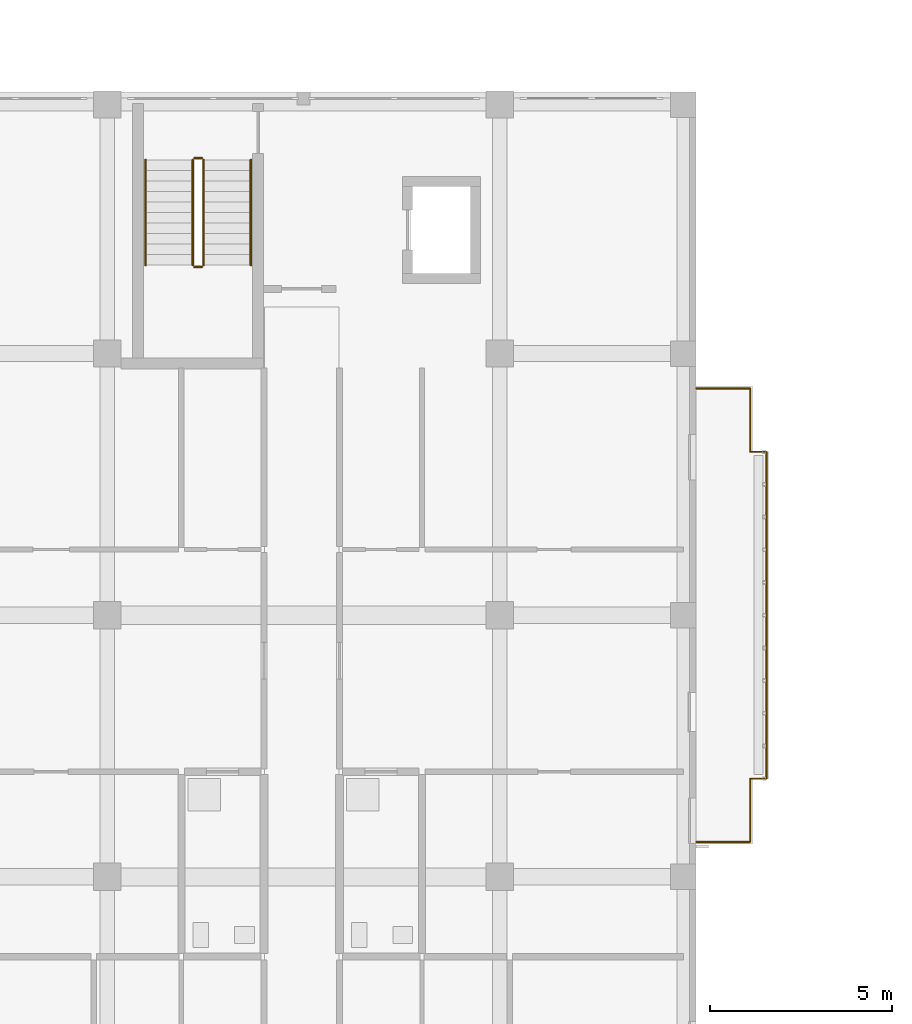
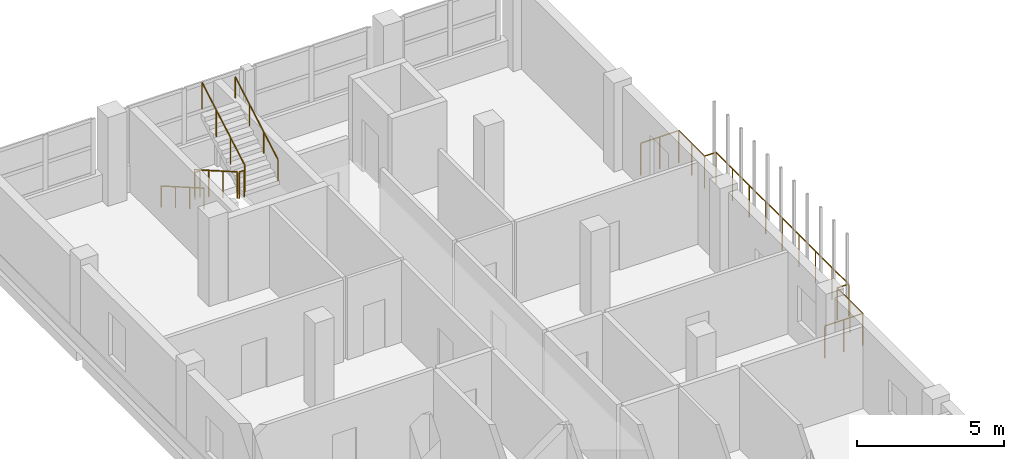
# One storey, part 59 of 73: 7 railings.
"""IFC4 building model written with IfcOpenShell, lengths in metres."""

from ifc_helpers import new_model, si_unit, derived_unit, direction, frame, origin, origin_2d, place, context, subcontext, project, spatial, circle, extrude, material, type_object, element, save


model = new_model("IFC4")

# Units and contexts
model_context = context("Model", 3, precision=1e-05, world=origin(), true_north=direction((0.0, 1.0)))
body_context = subcontext(model_context, "Body", "Model", "MODEL_VIEW")
ifc_project = project(units=[si_unit("LENGTHUNIT", "METRE"), si_unit("AREAUNIT", "SQUARE_METRE"), si_unit("VOLUMEUNIT", "CUBIC_METRE"), si_unit("PLANEANGLEUNIT", "RADIAN"), si_unit("MASSUNIT", "GRAM", prefix="KILO"), derived_unit("THERMALTRANSMITTANCEUNIT", [(si_unit("MASSUNIT", "GRAM", prefix="KILO"), 1), (si_unit("TIMEUNIT", "SECOND"), -3), (si_unit("THERMODYNAMICTEMPERATUREUNIT", "KELVIN"), -1)])], contexts=[model_context])

# Site, building, storey
site_placement = place(None, origin())
site = spatial("IfcSite", under=ifc_project, at=site_placement, CompositionType="ELEMENT")
building_placement = place(site_placement, origin())
building = spatial("IfcBuilding", under=site, at=building_placement, Name="Ochrekiln Boulevard Commons", CompositionType="ELEMENT")
storey_placement = place(building_placement, frame((0.0, 0.0, 4.89990234375)))
storey = spatial("IfcBuildingStorey", under=building, at=storey_placement, Name="L01", CompositionType="ELEMENT", Elevation=4.89990234375)

# Railings
ifc_material_1 = material(Name="Bronze-anodized extruded aluminium 6063-T6", Category="aluminium")
railing_type_1 = type_object("IfcRailingType", Name="RLG-BAL-1350", PredefinedType="BALUSTRADE", material=ifc_material_1)
railing_1_placement = place(storey_placement, frame((21.60009765625, 29.760009765625, 0.0)))
element("IfcRailing", 1, at=railing_1_placement, inside=storey, type_object=railing_type_1, Name="Block D L01 Balcony Guard Balustrade 2", PredefinedType="BALUSTRADE", context=body_context, shape_type="SweptSolid", body=[
    extrude(circle(Radius=0.02392578125, at=origin_2d()), frame((0.0, 0.0, 1.326171875), z_axis=(1.0, 0.0, 0.0), x_axis=(0.0, 1.0, 0.0)), (0.0, 0.0, 1.0), 1.489990234375),
    extrude(circle(Radius=0.02392578125, at=origin_2d()), frame((1.489990234375, 0.0, 1.326171875), z_axis=(0.0, 1.0, 0.0), x_axis=(-1.0, 0.0, 0.0)), (0.0, 0.0, 1.0), 1.739990234375),
    extrude(circle(Radius=0.02392578125, at=origin_2d()), frame((1.489990234375, 1.739990234375, 1.326171875), z_axis=(1.0, 0.0, 0.0), x_axis=(0.0, 1.0, 0.0)), (0.0, 0.0, 1.0), 0.449951171875),
    extrude(circle(Radius=0.02392578125, at=origin_2d()), frame((1.93994140625, 1.739990234375, 1.326171875), z_axis=(0.0, 1.0, 0.0), x_axis=(-1.0, 0.0, 0.0)), (0.0, 0.0, 1.0), 9.0),
    extrude(circle(Radius=0.02392578125, at=origin_2d()), frame((1.93994140625, 10.739990234375, 1.326171875), z_axis=(-1.0, 0.0, 0.0), x_axis=(0.0, -1.0, 0.0)), (0.0, 0.0, 1.0), 0.449951171875),
    extrude(circle(Radius=0.02392578125, at=origin_2d()), frame((1.489990234375, 10.739990234375, 1.326171875), z_axis=(0.0, 1.0, 0.0), x_axis=(-1.0, 0.0, 0.0)), (0.0, 0.0, 1.0), 1.739990234375),
    extrude(circle(Radius=0.02392578125, at=origin_2d()), frame((1.489990234375, 12.47998046875, 1.326171875), z_axis=(-1.0, 0.0, 0.0), x_axis=(0.0, -1.0, 0.0)), (0.0, 0.0, 1.0), 1.489990234375),
    extrude(circle(Radius=0.02099609375, at=origin_2d()), origin(), (0.0, 0.0, 1.0), 1.302001953125),
    extrude(circle(Radius=0.02099609375, at=origin_2d()), frame((0.7451171875, 0.0, 0.0)), (0.0, 0.0, 1.0), 1.302001953125),
    extrude(circle(Radius=0.02099609375, at=origin_2d()), frame((1.489990234375, 0.0, 0.0)), (0.0, 0.0, 1.0), 1.302001953125),
    extrude(circle(Radius=0.02099609375, at=origin_2d()), frame((1.489990234375, 0.8701171875, 0.0)), (0.0, 0.0, 1.0), 1.302001953125),
    extrude(circle(Radius=0.02099609375, at=origin_2d()), frame((1.489990234375, 1.739990234375, 0.0)), (0.0, 0.0, 1.0), 1.302001953125),
    extrude(circle(Radius=0.02099609375, at=origin_2d()), frame((1.93994140625, 1.739990234375, 0.0)), (0.0, 0.0, 1.0), 1.302001953125),
    extrude(circle(Radius=0.02099609375, at=origin_2d()), frame((1.93994140625, 2.864990234375, 0.0)), (0.0, 0.0, 1.0), 1.302001953125),
    extrude(circle(Radius=0.02099609375, at=origin_2d()), frame((1.93994140625, 3.989990234375, 0.0)), (0.0, 0.0, 1.0), 1.302001953125),
    extrude(circle(Radius=0.02099609375, at=origin_2d()), frame((1.93994140625, 5.114990234375, 0.0)), (0.0, 0.0, 1.0), 1.302001953125),
    extrude(circle(Radius=0.02099609375, at=origin_2d()), frame((1.93994140625, 6.239990234375, 0.0)), (0.0, 0.0, 1.0), 1.302001953125),
    extrude(circle(Radius=0.02099609375, at=origin_2d()), frame((1.93994140625, 7.364990234375, 0.0)), (0.0, 0.0, 1.0), 1.302001953125),
    extrude(circle(Radius=0.02099609375, at=origin_2d()), frame((1.93994140625, 8.489990234375, 0.0)), (0.0, 0.0, 1.0), 1.302001953125),
    extrude(circle(Radius=0.02099609375, at=origin_2d()), frame((1.93994140625, 9.614990234375, 0.0)), (0.0, 0.0, 1.0), 1.302001953125),
    extrude(circle(Radius=0.02099609375, at=origin_2d()), frame((1.93994140625, 10.739990234375, 0.0)), (0.0, 0.0, 1.0), 1.302001953125),
    extrude(circle(Radius=0.02099609375, at=origin_2d()), frame((1.489990234375, 10.739990234375, 0.0)), (0.0, 0.0, 1.0), 1.302001953125),
    extrude(circle(Radius=0.02099609375, at=origin_2d()), frame((1.489990234375, 11.60986328125, 0.0)), (0.0, 0.0, 1.0), 1.302001953125),
    extrude(circle(Radius=0.02099609375, at=origin_2d()), frame((1.489990234375, 12.47998046875, 0.0)), (0.0, 0.0, 1.0), 1.302001953125),
    extrude(circle(Radius=0.02099609375, at=origin_2d()), frame((0.7451171875, 12.47998046875, 0.0)), (0.0, 0.0, 1.0), 1.302001953125),
    extrude(circle(Radius=0.02099609375, at=origin_2d()), frame((0.0, 12.47998046875, 0.0)), (0.0, 0.0, 1.0), 1.302001953125),
])
ifc_material_2 = material(Name="Brushed stainless steel 316 tubular railing", Category="steel")
railing_type_2 = type_object("IfcRailingType", Name="RLG-HDR-900", PredefinedType="HANDRAIL", material=ifc_material_2)
railing_2_placement = place(storey_placement, frame((6.449951171875, 48.530029296875, 0.167236328125)))
element("IfcRailing", 2, at=railing_2_placement, inside=storey, type_object=railing_type_2, Name="L01 ST-D2 stair handrail 1", PredefinedType="HANDRAIL", context=body_context, shape_type="SweptSolid", body=[
    extrude(circle(Radius=0.02392578125, at=origin_2d()), frame((0.0, 0.0, 0.8759765625), z_axis=(0.0, -0.866541197165, 0.499105553582), x_axis=(1.0, 0.0, 0.0)), (0.0, 0.0, 1.0), 3.346923828125),
    extrude(circle(Radius=0.02099609375, at=origin_2d()), origin(), (0.0, 0.0, 1.0), 0.851806640625),
    extrude(circle(Radius=0.02099609375, at=origin_2d()), frame((0.0, -0.966796875, 0.556884765625)), (0.0, 0.0, 1.0), 0.851806640625),
    extrude(circle(Radius=0.02099609375, at=origin_2d()), frame((0.0, -1.933349609375, 1.113525390625)), (0.0, 0.0, 1.0), 0.851806640625),
    extrude(circle(Radius=0.02099609375, at=origin_2d()), frame((0.0, -2.900146484375, 1.67041015625)), (0.0, 0.0, 1.0), 0.851806640625),
])
railing_3_placement = place(storey_placement, frame((9.35009765625, 45.6298828125, 2.004638671875)))
element("IfcRailing", 3, at=railing_3_placement, inside=storey, type_object=railing_type_2, Name="L01 ST-D2 stair handrail 2", PredefinedType="HANDRAIL", context=body_context, shape_type="SweptSolid", body=[
    extrude(circle(Radius=0.02392578125, at=origin_2d()), frame((0.0, 0.0, 0.8759765625), z_axis=(0.0, 0.866541197165, 0.499105553582), x_axis=(-1.0, 0.0, 0.0)), (0.0, 0.0, 1.0), 3.346923828125),
    extrude(circle(Radius=0.02099609375, at=origin_2d()), origin(), (0.0, 0.0, 1.0), 0.851806640625),
    extrude(circle(Radius=0.02099609375, at=origin_2d()), frame((0.0, 0.966796875, 0.556884765625)), (0.0, 0.0, 1.0), 0.851806640625),
    extrude(circle(Radius=0.02099609375, at=origin_2d()), frame((0.0, 1.933349609375, 1.113525390625)), (0.0, 0.0, 1.0), 0.851806640625),
    extrude(circle(Radius=0.02099609375, at=origin_2d()), frame((0.0, 2.900146484375, 1.67041015625)), (0.0, 0.0, 1.0), 0.851806640625),
])
railing_type_3 = type_object("IfcRailingType", Name="RLG-STR-1120", PredefinedType="BALUSTRADE", material=ifc_material_2)
railing_4_placement = place(storey_placement, frame((7.75, 48.530029296875, 0.167236328125)))
element("IfcRailing", 4, at=railing_4_placement, inside=storey, type_object=railing_type_3, Name="L01 ST-D2 stair guard 1", PredefinedType="BALUSTRADE", context=body_context, shape_type="SweptSolid", body=[
    extrude(circle(Radius=0.02392578125, at=origin_2d()), frame((0.0, 0.0, 1.09619140625), z_axis=(0.0, -0.866541197165, 0.499105553582), x_axis=(1.0, 0.0, 0.0)), (0.0, 0.0, 1.0), 3.346923828125),
    extrude(circle(Radius=0.02099609375, at=origin_2d()), origin(), (0.0, 0.0, 1.0), 1.072021484375),
    extrude(circle(Radius=0.02099609375, at=origin_2d()), frame((0.0, -0.966796875, 0.556884765625)), (0.0, 0.0, 1.0), 1.072021484375),
    extrude(circle(Radius=0.02099609375, at=origin_2d()), frame((0.0, -1.933349609375, 1.113525390625)), (0.0, 0.0, 1.0), 1.072021484375),
    extrude(circle(Radius=0.02099609375, at=origin_2d()), frame((0.0, -2.900146484375, 1.67041015625)), (0.0, 0.0, 1.0), 1.072021484375),
])
railing_5_placement = place(storey_placement, frame((7.800048828125, 45.580078125, 1.837646484375)))
element("IfcRailing", 5, at=railing_5_placement, inside=storey, type_object=railing_type_3, Name="L01 ST-D2 stair guard 2", PredefinedType="BALUSTRADE", context=body_context, shape_type="SweptSolid", body=[
    extrude(circle(Radius=0.02392578125, at=origin_2d()), frame((0.0, 0.0, 1.09619140625), z_axis=(1.0, 0.0, 0.0), x_axis=(0.0, 1.0, 0.0)), (0.0, 0.0, 1.0), 0.199951171875),
    extrude(circle(Radius=0.02099609375, at=origin_2d()), origin(), (0.0, 0.0, 1.0), 1.072021484375),
    extrude(circle(Radius=0.02099609375, at=origin_2d()), frame((0.199951171875, 0.0, 0.0)), (0.0, 0.0, 1.0), 1.072021484375),
])
railing_6_placement = place(storey_placement, frame((8.050048828125, 45.6298828125, 2.004638671875)))
element("IfcRailing", 6, at=railing_6_placement, inside=storey, type_object=railing_type_3, Name="L01 ST-D2 stair guard 3", PredefinedType="BALUSTRADE", context=body_context, shape_type="SweptSolid", body=[
    extrude(circle(Radius=0.02392578125, at=origin_2d()), frame((0.0, 0.0, 1.09619140625), z_axis=(0.0, 0.866541197165, 0.499105553582), x_axis=(-1.0, 0.0, 0.0)), (0.0, 0.0, 1.0), 3.346923828125),
    extrude(circle(Radius=0.02099609375, at=origin_2d()), origin(), (0.0, 0.0, 1.0), 1.072021484375),
    extrude(circle(Radius=0.02099609375, at=origin_2d()), frame((0.0, 0.966796875, 0.556884765625)), (0.0, 0.0, 1.0), 1.072021484375),
    extrude(circle(Radius=0.02099609375, at=origin_2d()), frame((0.0, 1.933349609375, 1.113525390625)), (0.0, 0.0, 1.0), 1.072021484375),
    extrude(circle(Radius=0.02099609375, at=origin_2d()), frame((0.0, 2.900146484375, 1.67041015625)), (0.0, 0.0, 1.0), 1.072021484375),
])
railing_7_placement = place(storey_placement, frame((7.800048828125, 48.580078125, 0.0)))
element("IfcRailing", 7, at=railing_7_placement, inside=storey, type_object=railing_type_3, Name="L01 ST-D2 stair guard 4", PredefinedType="BALUSTRADE", context=body_context, shape_type="SweptSolid", body=[
    extrude(circle(Radius=0.02392578125, at=origin_2d()), frame((0.0, 0.0, 1.09619140625), z_axis=(1.0, 0.0, 0.0), x_axis=(0.0, 1.0, 0.0)), (0.0, 0.0, 1.0), 0.199951171875),
    extrude(circle(Radius=0.02099609375, at=origin_2d()), origin(), (0.0, 0.0, 1.0), 1.072021484375),
    extrude(circle(Radius=0.02099609375, at=origin_2d()), frame((0.199951171875, 0.0, 0.0)), (0.0, 0.0, 1.0), 1.072021484375),
])

save(model, "model.ifc")
